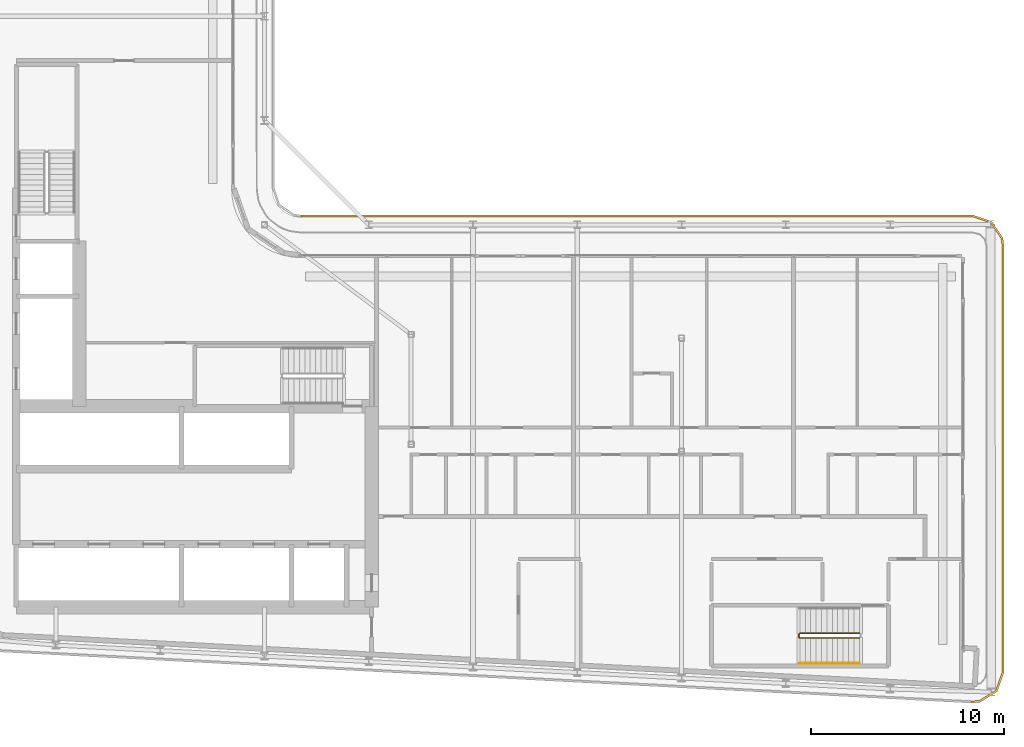
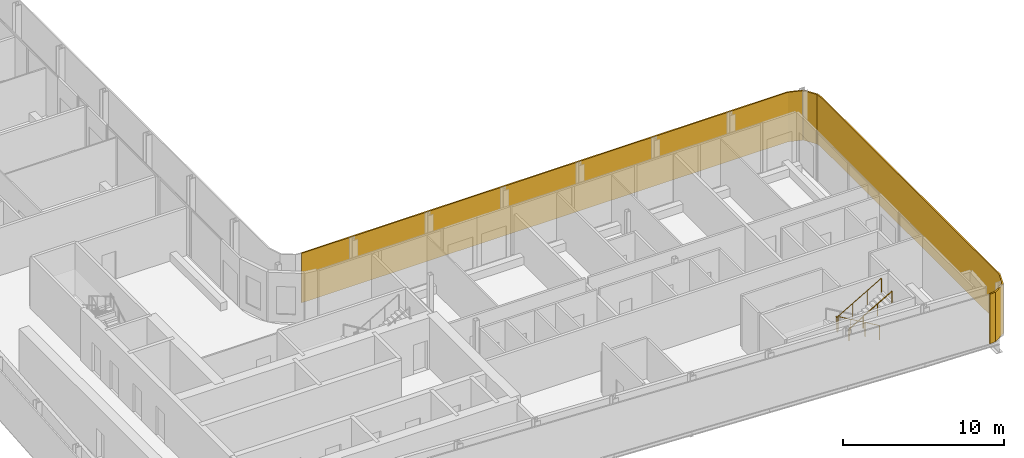
# One storey, part 18 of 22: 2 railings, 1 shading device.
"""IFC4 building model written with IfcOpenShell, lengths in metres."""

from ifc_helpers import new_model, si_unit, direction, frame, origin, origin_2d, place, context, subcontext, project, spatial, polyline, circle, outline, extrude, material, layer, layer_set, type_object, element, save


model = new_model("IFC4")

# Units and contexts
model_context = context("Model", 3, precision=1e-05, world=origin(), true_north=direction((0.0, 1.0)))
body_context = subcontext(model_context, "Body", "Model", "MODEL_VIEW")
ifc_project = project(units=[si_unit("LENGTHUNIT", "METRE"), si_unit("AREAUNIT", "SQUARE_METRE"), si_unit("VOLUMEUNIT", "CUBIC_METRE"), si_unit("PLANEANGLEUNIT", "RADIAN"), si_unit("MASSUNIT", "GRAM", prefix="KILO")], contexts=[model_context])

# Site, building, storey
site_placement = place(None, origin())
site = spatial("IfcSite", under=ifc_project, at=site_placement, CompositionType="ELEMENT")
building_placement = place(site_placement, origin())
building = spatial("IfcBuilding", under=site, at=building_placement, Name="Kheshtan School and Residences Tower", CompositionType="ELEMENT")
storey_placement = place(building_placement, frame((0.0, 0.0, 255.199951171875)))
storey = spatial("IfcBuildingStorey", under=building, at=storey_placement, Name="L60", CompositionType="ELEMENT", Elevation=255.199951171875)

# Shading device
ifc_material_1 = material(Name="Terracotta lattice, extruded ceramic", Category="masonry")
ifc_layer = layer(ifc_material_1, 0.10009765625)
ifc_layer_set = layer_set([ifc_layer], Name="Loggia screen, terracotta lattice")
shading_device_type = type_object("IfcShadingDeviceType", Name="Loggia screen, terracotta lattice", PredefinedType="USERDEFINED", material=ifc_layer_set)
shading_device_placement = place(storey_placement, origin())
element("IfcShadingDevice", 1, at=shading_device_placement, inside=storey, type_object=shading_device_type, Name="Screen L60 2", ObjectType="SCREEN", PredefinedType="USERDEFINED", context=body_context, shape_type="SweptSolid", body=[
    extrude(outline(polyline([(49.5, 46.0), (84.300048828125, 46.0), (85.212890625, 45.68994140625), (85.7490234375, 44.887939453125), (85.800048828125, 44.5), (85.800048828125, 22.43408203125), (85.469970703125, 21.4951171875), (84.6240234375, 20.968994140625), (84.220947265625, 20.93603515625), (84.22900390625, 20.8359375), (84.656005859375, 20.87109375), (85.552978515625, 21.428955078125), (85.89990234375, 22.4169921875), (85.89990234375, 44.507080078125), (85.844970703125, 44.924072265625), (85.277099609375, 45.77392578125), (84.31689453125, 46.10009765625), (49.5, 46.10009765625), (49.5, 46.0)])), origin(), (0.0, 0.0, 1.0), 3.75),
])

# Railings
ifc_material_2 = material(Name="Stainless steel balustrade", Category="steel")
railing_type_1 = type_object("IfcRailingType", Name="Stair guard 1100", PredefinedType="GUARDRAIL", material=ifc_material_2)
railing_1_placement = place(storey_placement, frame((78.409912109375, 24.449951171875, 0.16259765625)))
element("IfcRailing", 2, at=railing_1_placement, inside=storey, type_object=railing_type_1, Name="L60 ST5 stair guard 1", PredefinedType="GUARDRAIL", context=body_context, shape_type="SweptSolid", body=[
    extrude(circle(Radius=0.02392578125, at=origin_2d()), frame((0.0, 0.0, 1.076171875), z_axis=(-0.864903211148, 0.0, 0.501938676878), x_axis=(0.0, -1.0, 0.0)), (0.0, 0.0, 1.0), 3.560791015625),
    extrude(circle(Radius=0.02392578125, at=origin_2d()), frame((-3.079833984375, 0.0, 2.86328125), z_axis=(-0.707106781187, -0.707106781187, 0.0), x_axis=(0.707106781187, -0.707106781187, 0.0)), (0.0, 0.0, 1.0), 0.07080078125),
    extrude(circle(Radius=0.02392578125, at=origin_2d()), frame((-3.1298828125, -0.050048828125, 2.86328125), z_axis=(0.0, -1.0, 0.0), x_axis=(1.0, 0.0, 0.0)), (0.0, 0.0, 1.0), 0.14990234375),
    extrude(circle(Radius=0.02392578125, at=origin_2d()), frame((-3.1298828125, -0.199951171875, 2.86328125), z_axis=(0.282227285176, -0.282227285176, 0.916894497205), x_axis=(0.707106781187, 0.707106781187, 0.0)), (0.0, 0.0, 1.0), 0.17724609375),
    extrude(circle(Radius=0.02392578125, at=origin_2d()), frame((-3.079833984375, -0.25, 3.02587890625), z_axis=(0.864873446163, 0.0, 0.501989962173), x_axis=(0.0, 1.0, 0.0)), (0.0, 0.0, 1.0), 3.56103515625),
    extrude(circle(Radius=0.02099609375, at=origin_2d()), origin(), (0.0, 0.0, 1.0), 1.052001953125),
    extrude(circle(Radius=0.02099609375, at=origin_2d()), frame((-1.026611328125, 0.0, 0.595703125)), (0.0, 0.0, 1.0), 1.052001953125),
    extrude(circle(Radius=0.02099609375, at=origin_2d()), frame((-2.05322265625, 0.0, 1.191650390625)), (0.0, 0.0, 1.0), 1.052001953125),
    extrude(circle(Radius=0.02099609375, at=origin_2d()), frame((-3.079833984375, 0.0, 1.787353515625)), (0.0, 0.0, 1.0), 1.052001953125),
    extrude(circle(Radius=0.02099609375, at=origin_2d()), frame((-3.1298828125, -0.050048828125, 1.787353515625)), (0.0, 0.0, 1.0), 1.052001953125),
    extrude(circle(Radius=0.02099609375, at=origin_2d()), frame((-3.1298828125, -0.199951171875, 1.787353515625)), (0.0, 0.0, 1.0), 1.052001953125),
    extrude(circle(Radius=0.02099609375, at=origin_2d()), frame((-3.079833984375, -0.25, 1.949951171875)), (0.0, 0.0, 1.0), 1.052001953125),
    extrude(circle(Radius=0.02099609375, at=origin_2d()), frame((-2.05322265625, -0.25, 2.5458984375)), (0.0, 0.0, 1.0), 1.052001953125),
    extrude(circle(Radius=0.02099609375, at=origin_2d()), frame((-1.026611328125, -0.25, 3.1416015625)), (0.0, 0.0, 1.0), 1.052001953125),
    extrude(circle(Radius=0.02099609375, at=origin_2d()), frame((0.0, -0.25, 3.737548828125)), (0.0, 0.0, 1.0), 1.052001953125),
])
ifc_material_3 = material(Name="Stainless steel handrail", Category="steel")
railing_type_2 = type_object("IfcRailingType", Name="Stair handrail 900", PredefinedType="HANDRAIL", material=ifc_material_3)
railing_2_placement = place(storey_placement, frame((75.330078125, 22.89990234375, 2.112548828125)))
element("IfcRailing", 3, at=railing_2_placement, inside=storey, type_object=railing_type_2, Name="L60 ST5 stair handrail 2", PredefinedType="HANDRAIL", context=body_context, shape_type="SweptSolid", body=[
    extrude(circle(Radius=0.02392578125, at=origin_2d()), frame((0.0, 0.0, 0.8759765625), z_axis=(0.864873446163, 0.0, 0.501989962173), x_axis=(0.0, 1.0, 0.0)), (0.0, 0.0, 1.0), 3.56103515625),
    extrude(circle(Radius=0.02099609375, at=origin_2d()), origin(), (0.0, 0.0, 1.0), 0.851806640625),
    extrude(circle(Radius=0.02099609375, at=origin_2d()), frame((1.026611328125, 0.0, 0.595947265625)), (0.0, 0.0, 1.0), 0.851806640625),
    extrude(circle(Radius=0.02099609375, at=origin_2d()), frame((2.05322265625, 0.0, 1.191650390625)), (0.0, 0.0, 1.0), 0.851806640625),
    extrude(circle(Radius=0.02099609375, at=origin_2d()), frame((3.079833984375, 0.0, 1.78759765625)), (0.0, 0.0, 1.0), 0.851806640625),
])

save(model, "model.ifc")
